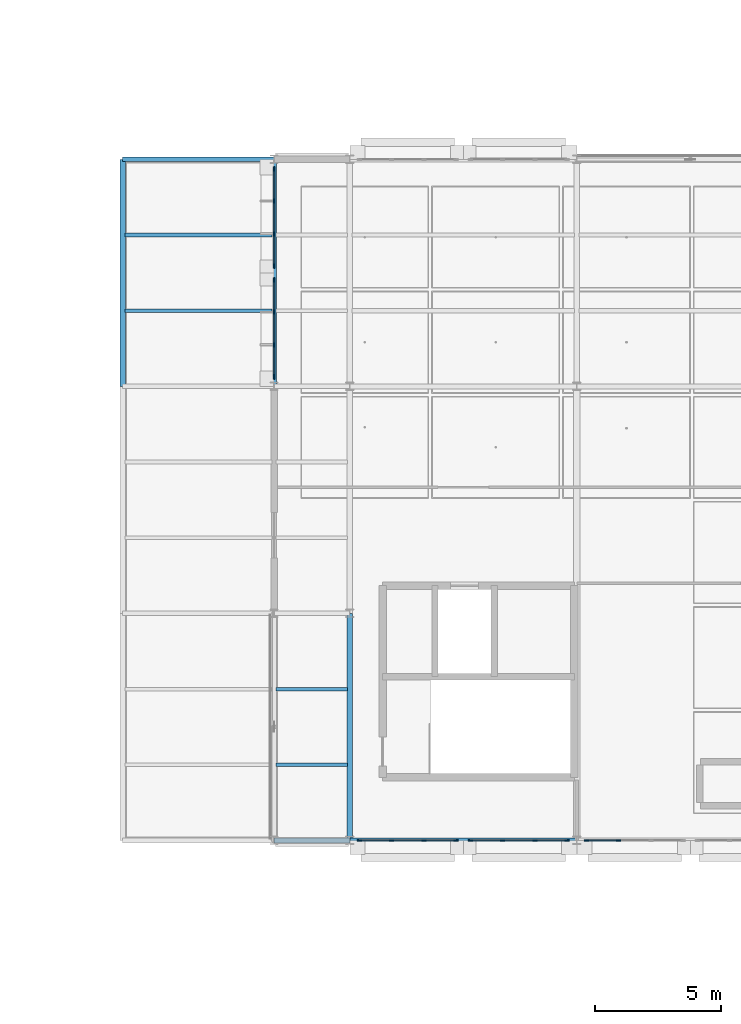
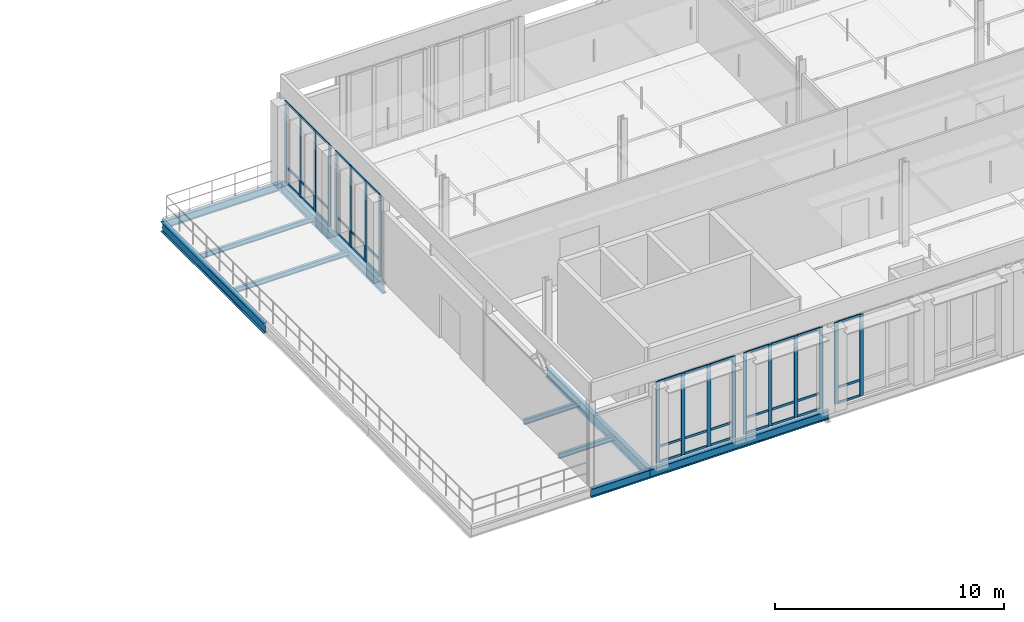
# One storey, part 22 of 89: 57 members, 10 beams, 5 elements without a shape of their own.
"""IFC4 building model written with IfcOpenShell, lengths in metres."""

from ifc_helpers import new_model, si_unit, direction, frame, origin, origin_2d, place, context, subcontext, project, spatial, rectangle, i_section, extrude, material, material_profile, profile_set, type_object, element, aggregate, save


model = new_model("IFC4")

# Units and contexts
model_context = context("Model", 3, precision=1e-05, world=origin(), true_north=direction((0.0, 1.0)))
body_context = subcontext(model_context, "Body", "Model", "MODEL_VIEW")
ifc_project = project(units=[si_unit("LENGTHUNIT", "METRE"), si_unit("AREAUNIT", "SQUARE_METRE"), si_unit("VOLUMEUNIT", "CUBIC_METRE"), si_unit("PLANEANGLEUNIT", "RADIAN"), si_unit("MASSUNIT", "GRAM", prefix="KILO"), si_unit("THERMODYNAMICTEMPERATUREUNIT", "KELVIN"), si_unit("POWERUNIT", "WATT")], contexts=[model_context])

# Site, building, storey
site_placement = place(None, origin())
site = spatial("IfcSite", under=ifc_project, at=site_placement, CompositionType="ELEMENT")
building_placement = place(site_placement, origin())
building = spatial("IfcBuilding", under=site, at=building_placement, Name="Tallowbark Science Centre", CompositionType="ELEMENT")
storey_placement = place(building_placement, frame((0.0, 0.0, 14.39990234375)))
storey = spatial("IfcBuildingStorey", under=building, at=storey_placement, Name="L03", CompositionType="ELEMENT", Elevation=14.39990234375)

# Beams
ifc_material_1 = material(Name="Structural Steel Grade 300PLUS (300 MPa)", Category="steel")
ifc_material_profile_1 = material_profile(ifc_material_1, i_section(OverallWidth=0.177734375, OverallDepth=0.406494140625, WebThickness=0.0078125, FlangeThickness=0.0126953125, FilletRadius=0.011474609375, at=origin_2d()), Name="410UB59.7")
ifc_profile_set_1 = profile_set([ifc_material_profile_1], Name="Structural Steel Grade 300PLUS (300 MPa)")
beam_type_1 = type_object("IfcBeamType", Name="BM-UB410", PredefinedType="BEAM", material=ifc_profile_set_1)
beam_1_placement = place(storey_placement, frame((63.0, 99.0, -0.383056640625), z_axis=(1.0, 0.0, 0.0), x_axis=(0.0, 1.0, 0.0)))
element("IfcBeam", 1, at=beam_1_placement, inside=storey, type_object=beam_type_1, Name="Primary Girder GRDX-L03-630-690-990", PredefinedType="BEAM", context=body_context, shape_type="SweptSolid", body=[
    extrude(i_section(OverallWidth=0.177734375, OverallDepth=0.406494140625, WebThickness=0.0078125, FlangeThickness=0.0126953125, FilletRadius=0.011474609375, at=origin_2d()), origin(), (0.0, 0.0, 1.0), 6.0),
])
ifc_material_profile_2 = material_profile(ifc_material_1, i_section(OverallWidth=0.208740234375, OverallDepth=0.5283203125, WebThickness=0.009521484375, FlangeThickness=0.01318359375, FilletRadius=0.013916015625, at=origin_2d()), Name="530UB82.0")
ifc_profile_set_2 = profile_set([ifc_material_profile_2], Name="Structural Steel Grade 300PLUS (300 MPa)")
beam_type_2 = type_object("IfcBeamType", Name="BM-UB530B", PredefinedType="BEAM", material=ifc_profile_set_2)
for number, where, z_axis, x_axis, name in (
    (2, (63.0, 90.0, -0.444091796875), (0.0, 1.0, 0.0), (-1.0, 0.0, 0.0), "Primary Girder GRDY-L03-630-900-990"),
    (3, (69.0, 90.0, -0.444091796875), (0.0, 1.0, 0.0), (-1.0, 0.0, 0.0), "Primary Girder GRDY-L03-690-900-990"),
    (4, (72.0, 72.0, -0.444091796875), (0.0, 1.0, 0.0), (-1.0, 0.0, 0.0), "Primary Girder GRDY-L03-720-720-810"),
):
    element("IfcBeam", number, at=place(storey_placement, frame(where, z_axis=z_axis, x_axis=x_axis)), inside=storey, type_object=beam_type_2, Name=name, PredefinedType="BEAM", context=body_context, shape_type="SweptSolid", body=[
        extrude(i_section(OverallWidth=0.208740234375, OverallDepth=0.5283203125, WebThickness=0.009521484375, FlangeThickness=0.01318359375, FilletRadius=0.013916015625, at=origin_2d()), origin(), (0.0, 0.0, 1.0), 9.0),
    ])

# Curtain wall, members
ifc_material_2 = material(Name="Unitised Thermally Broken Aluminium and Low-E Double Glazing", Category="aluminium")
curtain_wall_type = type_object("IfcCurtainWallType", Name="CW-SYS-FACADE", PredefinedType="NOTDEFINED", material=ifc_material_2)
curtain_wall_1_placement = place(storey_placement, origin())
curtain_wall_1 = element("IfcCurtainWall", 5, at=curtain_wall_1_placement, inside=storey, type_object=curtain_wall_type, Name="Unitised Curtain Wall LAB-S-72A CW-L03-076", PredefinedType="NOTDEFINED")
ifc_material_3 = material(Name="Anodised Architectural Aluminium Alloy 6063-T6", Category="aluminium")
ifc_material_profile_3 = material_profile(ifc_material_3, rectangle(XDim=0.06494140625, YDim=0.179931640625, at=origin_2d()), Name="ALU65x180")
ifc_profile_set_3 = profile_set([ifc_material_profile_3], Name="Anodised Architectural Aluminium Alloy 6063-T6")
member_type_1 = type_object("IfcMemberType", Name="CWM-MUL-220", PredefinedType="MULLION", material=ifc_profile_set_3)
member_1_placement = place(storey_placement, frame((72.382568359375, 72.0, 0.0), z_axis=(0.0, 0.0, 1.0), x_axis=(0.0, 1.0, 0.0)))
member_1 = element("IfcMember", 6, at=member_1_placement, type_object=member_type_1, Name="CW-01 mullion 1", PredefinedType="MULLION", context=body_context, shape_type="SweptSolid", body=[
    extrude(rectangle(XDim=0.06494140625, YDim=0.179931640625, at=origin_2d()), origin(), (0.0, 0.0, 1.0), 4.340087890625),
])
member_2_placement = place(storey_placement, frame((73.64990234375, 72.0, 0.0), z_axis=(0.0, 0.0, 1.0), x_axis=(0.0, 1.0, 0.0)))
member_2 = element("IfcMember", 7, at=member_2_placement, type_object=member_type_1, Name="CW-01 mullion 2", PredefinedType="MULLION", context=body_context, shape_type="SweptSolid", body=[
    extrude(rectangle(XDim=0.06494140625, YDim=0.179931640625, at=origin_2d()), origin(), (0.0, 0.0, 1.0), 4.340087890625),
])
member_3_placement = place(storey_placement, frame((74.949951171875, 72.0, 0.0), z_axis=(0.0, 0.0, 1.0), x_axis=(0.0, 1.0, 0.0)))
member_3 = element("IfcMember", 8, at=member_3_placement, type_object=member_type_1, Name="CW-01 mullion 3", PredefinedType="MULLION", context=body_context, shape_type="SweptSolid", body=[
    extrude(rectangle(XDim=0.06494140625, YDim=0.179931640625, at=origin_2d()), origin(), (0.0, 0.0, 1.0), 4.340087890625),
])
member_4_placement = place(storey_placement, frame((76.217529296875, 72.0, 0.0), z_axis=(0.0, 0.0, 1.0), x_axis=(0.0, 1.0, 0.0)))
member_4 = element("IfcMember", 9, at=member_4_placement, type_object=member_type_1, Name="CW-01 mullion 4", PredefinedType="MULLION", context=body_context, shape_type="SweptSolid", body=[
    extrude(rectangle(XDim=0.06494140625, YDim=0.179931640625, at=origin_2d()), origin(), (0.0, 0.0, 1.0), 4.340087890625),
])

curtain_wall_2_placement = place(storey_placement, origin())
curtain_wall_2 = element("IfcCurtainWall", 10, at=curtain_wall_2_placement, inside=storey, type_object=curtain_wall_type, Name="Unitised Curtain Wall LAB-S-72B CW-L03-077", PredefinedType="NOTDEFINED")
member_5_placement = place(storey_placement, frame((76.782470703125, 72.0, 0.0), z_axis=(0.0, 0.0, 1.0), x_axis=(0.0, 1.0, 0.0)))
member_5 = element("IfcMember", 11, at=member_5_placement, type_object=member_type_1, Name="CW-01 mullion 1", PredefinedType="MULLION", context=body_context, shape_type="SweptSolid", body=[
    extrude(rectangle(XDim=0.06494140625, YDim=0.179931640625, at=origin_2d()), origin(), (0.0, 0.0, 1.0), 4.340087890625),
])
member_6_placement = place(storey_placement, frame((78.050048828125, 72.0, 0.0), z_axis=(0.0, 0.0, 1.0), x_axis=(0.0, 1.0, 0.0)))
member_6 = element("IfcMember", 12, at=member_6_placement, type_object=member_type_1, Name="CW-01 mullion 2", PredefinedType="MULLION", context=body_context, shape_type="SweptSolid", body=[
    extrude(rectangle(XDim=0.06494140625, YDim=0.179931640625, at=origin_2d()), origin(), (0.0, 0.0, 1.0), 4.340087890625),
])
member_7_placement = place(storey_placement, frame((79.35009765625, 72.0, 0.0), z_axis=(0.0, 0.0, 1.0), x_axis=(0.0, 1.0, 0.0)))
member_7 = element("IfcMember", 13, at=member_7_placement, type_object=member_type_1, Name="CW-01 mullion 3", PredefinedType="MULLION", context=body_context, shape_type="SweptSolid", body=[
    extrude(rectangle(XDim=0.06494140625, YDim=0.179931640625, at=origin_2d()), origin(), (0.0, 0.0, 1.0), 4.340087890625),
])
member_8_placement = place(storey_placement, frame((80.617431640625, 72.0, 0.0), z_axis=(0.0, 0.0, 1.0), x_axis=(0.0, 1.0, 0.0)))
member_8 = element("IfcMember", 14, at=member_8_placement, type_object=member_type_1, Name="CW-01 mullion 4", PredefinedType="MULLION", context=body_context, shape_type="SweptSolid", body=[
    extrude(rectangle(XDim=0.06494140625, YDim=0.179931640625, at=origin_2d()), origin(), (0.0, 0.0, 1.0), 4.340087890625),
])

curtain_wall_3_placement = place(storey_placement, origin())
curtain_wall_3 = element("IfcCurtainWall", 15, at=curtain_wall_3_placement, inside=storey, type_object=curtain_wall_type, Name="Unitised Curtain Wall LAB-S-81A CW-L03-078", PredefinedType="NOTDEFINED")
member_9_placement = place(storey_placement, frame((81.382568359375, 72.0, 0.0), z_axis=(0.0, 0.0, 1.0), x_axis=(0.0, 1.0, 0.0)))
member_9 = element("IfcMember", 16, at=member_9_placement, type_object=member_type_1, Name="CW-01 mullion 1", PredefinedType="MULLION", context=body_context, shape_type="SweptSolid", body=[
    extrude(rectangle(XDim=0.06494140625, YDim=0.179931640625, at=origin_2d()), origin(), (0.0, 0.0, 1.0), 4.340087890625),
])
member_10_placement = place(storey_placement, frame((82.64990234375, 72.0, 0.0), z_axis=(0.0, 0.0, 1.0), x_axis=(0.0, 1.0, 0.0)))
member_10 = element("IfcMember", 17, at=member_10_placement, type_object=member_type_1, Name="CW-01 mullion 2", PredefinedType="MULLION", context=body_context, shape_type="SweptSolid", body=[
    extrude(rectangle(XDim=0.06494140625, YDim=0.179931640625, at=origin_2d()), origin(), (0.0, 0.0, 1.0), 4.340087890625),
])

curtain_wall_4_placement = place(storey_placement, origin())
curtain_wall_4 = element("IfcCurtainWall", 18, at=curtain_wall_4_placement, inside=storey, type_object=curtain_wall_type, Name="Unitised Curtain Wall LAB-W-90A CW-L03-082", PredefinedType="NOTDEFINED")
member_11_placement = place(storey_placement, frame((69.0, 98.617431640625, 0.0), z_axis=(0.0, 0.0, 1.0), x_axis=(1.0, 0.0, 0.0)))
member_11 = element("IfcMember", 19, at=member_11_placement, type_object=member_type_1, Name="CW-01 mullion 1", PredefinedType="MULLION", context=body_context, shape_type="SweptSolid", body=[
    extrude(rectangle(XDim=0.06494140625, YDim=0.179931640625, at=origin_2d()), origin(), (0.0, 0.0, 1.0), 4.340087890625),
])
member_12_placement = place(storey_placement, frame((69.0, 97.35009765625, 0.0), z_axis=(0.0, 0.0, 1.0), x_axis=(1.0, 0.0, 0.0)))
member_12 = element("IfcMember", 20, at=member_12_placement, type_object=member_type_1, Name="CW-01 mullion 2", PredefinedType="MULLION", context=body_context, shape_type="SweptSolid", body=[
    extrude(rectangle(XDim=0.06494140625, YDim=0.179931640625, at=origin_2d()), origin(), (0.0, 0.0, 1.0), 4.340087890625),
])
member_13_placement = place(storey_placement, frame((69.0, 96.050048828125, 0.0), z_axis=(0.0, 0.0, 1.0), x_axis=(1.0, 0.0, 0.0)))
member_13 = element("IfcMember", 21, at=member_13_placement, type_object=member_type_1, Name="CW-01 mullion 3", PredefinedType="MULLION", context=body_context, shape_type="SweptSolid", body=[
    extrude(rectangle(XDim=0.06494140625, YDim=0.179931640625, at=origin_2d()), origin(), (0.0, 0.0, 1.0), 4.340087890625),
])
member_14_placement = place(storey_placement, frame((69.0, 94.782470703125, 0.0), z_axis=(0.0, 0.0, 1.0), x_axis=(1.0, 0.0, 0.0)))
member_14 = element("IfcMember", 22, at=member_14_placement, type_object=member_type_1, Name="CW-01 mullion 4", PredefinedType="MULLION", context=body_context, shape_type="SweptSolid", body=[
    extrude(rectangle(XDim=0.06494140625, YDim=0.179931640625, at=origin_2d()), origin(), (0.0, 0.0, 1.0), 4.340087890625),
])

curtain_wall_5_placement = place(storey_placement, origin())
curtain_wall_5 = element("IfcCurtainWall", 23, at=curtain_wall_5_placement, inside=storey, type_object=curtain_wall_type, Name="Unitised Curtain Wall LAB-W-90B CW-L03-083", PredefinedType="NOTDEFINED")
member_15_placement = place(storey_placement, frame((69.0, 94.217529296875, 0.0), z_axis=(0.0, 0.0, 1.0), x_axis=(1.0, 0.0, 0.0)))
member_15 = element("IfcMember", 24, at=member_15_placement, type_object=member_type_1, Name="CW-01 mullion 1", PredefinedType="MULLION", context=body_context, shape_type="SweptSolid", body=[
    extrude(rectangle(XDim=0.06494140625, YDim=0.179931640625, at=origin_2d()), origin(), (0.0, 0.0, 1.0), 4.340087890625),
])
member_16_placement = place(storey_placement, frame((69.0, 92.949951171875, 0.0), z_axis=(0.0, 0.0, 1.0), x_axis=(1.0, 0.0, 0.0)))
member_16 = element("IfcMember", 25, at=member_16_placement, type_object=member_type_1, Name="CW-01 mullion 2", PredefinedType="MULLION", context=body_context, shape_type="SweptSolid", body=[
    extrude(rectangle(XDim=0.06494140625, YDim=0.179931640625, at=origin_2d()), origin(), (0.0, 0.0, 1.0), 4.340087890625),
])
member_17_placement = place(storey_placement, frame((69.0, 91.64990234375, 0.0), z_axis=(0.0, 0.0, 1.0), x_axis=(1.0, 0.0, 0.0)))
member_17 = element("IfcMember", 26, at=member_17_placement, type_object=member_type_1, Name="CW-01 mullion 3", PredefinedType="MULLION", context=body_context, shape_type="SweptSolid", body=[
    extrude(rectangle(XDim=0.06494140625, YDim=0.179931640625, at=origin_2d()), origin(), (0.0, 0.0, 1.0), 4.340087890625),
])
member_18_placement = place(storey_placement, frame((69.0, 90.382568359375, 0.0), z_axis=(0.0, 0.0, 1.0), x_axis=(1.0, 0.0, 0.0)))
member_18 = element("IfcMember", 27, at=member_18_placement, type_object=member_type_1, Name="CW-01 mullion 4", PredefinedType="MULLION", context=body_context, shape_type="SweptSolid", body=[
    extrude(rectangle(XDim=0.06494140625, YDim=0.179931640625, at=origin_2d()), origin(), (0.0, 0.0, 1.0), 4.340087890625),
])

# Member
ifc_material_profile_4 = material_profile(ifc_material_3, rectangle(XDim=0.054931640625, YDim=0.1201171875, at=origin_2d()), Name="ALU55x120")
ifc_profile_set_4 = profile_set([ifc_material_profile_4], Name="Anodised Architectural Aluminium Alloy 6063-T6")
member_type_2 = type_object("IfcMemberType", Name="CWM-TRN-150", PredefinedType="USERDEFINED", material=ifc_profile_set_4)
member_19_placement = place(storey_placement, frame((72.4150390625, 72.0, 0.027587890625), z_axis=(1.0, 0.0, 0.0), x_axis=(0.0, 1.0, 0.0)))
member_19 = element("IfcMember", 28, at=member_19_placement, type_object=member_type_2, Name="CW-01 transom 1.1", ObjectType="TRANSOM", PredefinedType="USERDEFINED", context=body_context, shape_type="SweptSolid", body=[
    extrude(rectangle(XDim=0.054931640625, YDim=0.1201171875, at=origin_2d()), origin(), (0.0, 0.0, 1.0), 1.202392578125),
])

member_20_placement = place(storey_placement, frame((72.4150390625, 72.0, 0.85009765625), z_axis=(1.0, 0.0, 0.0), x_axis=(0.0, 1.0, 0.0)))
member_20 = element("IfcMember", 29, at=member_20_placement, type_object=member_type_2, Name="CW-01 transom 1.2", ObjectType="TRANSOM", PredefinedType="USERDEFINED", context=body_context, shape_type="SweptSolid", body=[
    extrude(rectangle(XDim=0.054931640625, YDim=0.1201171875, at=origin_2d()), origin(), (0.0, 0.0, 1.0), 1.202392578125),
])

member_21_placement = place(storey_placement, frame((72.4150390625, 72.0, 4.3125), z_axis=(1.0, 0.0, 0.0), x_axis=(0.0, 1.0, 0.0)))
member_21 = element("IfcMember", 30, at=member_21_placement, type_object=member_type_2, Name="CW-01 transom 1.3", ObjectType="TRANSOM", PredefinedType="USERDEFINED", context=body_context, shape_type="SweptSolid", body=[
    extrude(rectangle(XDim=0.054931640625, YDim=0.1201171875, at=origin_2d()), origin(), (0.0, 0.0, 1.0), 1.202392578125),
])

member_22_placement = place(storey_placement, frame((73.6826171875, 72.0, 0.027587890625), z_axis=(1.0, 0.0, 0.0), x_axis=(0.0, 1.0, 0.0)))
member_22 = element("IfcMember", 31, at=member_22_placement, type_object=member_type_2, Name="CW-01 transom 2.1", ObjectType="TRANSOM", PredefinedType="USERDEFINED", context=body_context, shape_type="SweptSolid", body=[
    extrude(rectangle(XDim=0.054931640625, YDim=0.1201171875, at=origin_2d()), origin(), (0.0, 0.0, 1.0), 1.23486328125),
])

member_23_placement = place(storey_placement, frame((73.6826171875, 72.0, 0.85009765625), z_axis=(1.0, 0.0, 0.0), x_axis=(0.0, 1.0, 0.0)))
member_23 = element("IfcMember", 32, at=member_23_placement, type_object=member_type_2, Name="CW-01 transom 2.2", ObjectType="TRANSOM", PredefinedType="USERDEFINED", context=body_context, shape_type="SweptSolid", body=[
    extrude(rectangle(XDim=0.054931640625, YDim=0.1201171875, at=origin_2d()), origin(), (0.0, 0.0, 1.0), 1.23486328125),
])

member_24_placement = place(storey_placement, frame((73.6826171875, 72.0, 4.3125), z_axis=(1.0, 0.0, 0.0), x_axis=(0.0, 1.0, 0.0)))
member_24 = element("IfcMember", 33, at=member_24_placement, type_object=member_type_2, Name="CW-01 transom 2.3", ObjectType="TRANSOM", PredefinedType="USERDEFINED", context=body_context, shape_type="SweptSolid", body=[
    extrude(rectangle(XDim=0.054931640625, YDim=0.1201171875, at=origin_2d()), origin(), (0.0, 0.0, 1.0), 1.23486328125),
])

member_25_placement = place(storey_placement, frame((74.982421875, 72.0, 0.027587890625), z_axis=(1.0, 0.0, 0.0), x_axis=(0.0, 1.0, 0.0)))
member_25 = element("IfcMember", 34, at=member_25_placement, type_object=member_type_2, Name="CW-01 transom 3.1", ObjectType="TRANSOM", PredefinedType="USERDEFINED", context=body_context, shape_type="SweptSolid", body=[
    extrude(rectangle(XDim=0.054931640625, YDim=0.1201171875, at=origin_2d()), origin(), (0.0, 0.0, 1.0), 1.20263671875),
])

member_26_placement = place(storey_placement, frame((74.982421875, 72.0, 0.85009765625), z_axis=(1.0, 0.0, 0.0), x_axis=(0.0, 1.0, 0.0)))
member_26 = element("IfcMember", 35, at=member_26_placement, type_object=member_type_2, Name="CW-01 transom 3.2", ObjectType="TRANSOM", PredefinedType="USERDEFINED", context=body_context, shape_type="SweptSolid", body=[
    extrude(rectangle(XDim=0.054931640625, YDim=0.1201171875, at=origin_2d()), origin(), (0.0, 0.0, 1.0), 1.20263671875),
])

member_27_placement = place(storey_placement, frame((74.982421875, 72.0, 4.3125), z_axis=(1.0, 0.0, 0.0), x_axis=(0.0, 1.0, 0.0)))
member_27 = element("IfcMember", 36, at=member_27_placement, type_object=member_type_2, Name="CW-01 transom 3.3", ObjectType="TRANSOM", PredefinedType="USERDEFINED", context=body_context, shape_type="SweptSolid", body=[
    extrude(rectangle(XDim=0.054931640625, YDim=0.1201171875, at=origin_2d()), origin(), (0.0, 0.0, 1.0), 1.20263671875),
])

aggregate(curtain_wall_1, [member_1, member_2, member_3, member_4, member_19, member_20, member_21, member_22, member_23, member_24, member_25, member_26, member_27])

member_28_placement = place(storey_placement, frame((76.81494140625, 72.0, 0.027587890625), z_axis=(1.0, 0.0, 0.0), x_axis=(0.0, 1.0, 0.0)))
member_28 = element("IfcMember", 37, at=member_28_placement, type_object=member_type_2, Name="CW-01 transom 1.1", ObjectType="TRANSOM", PredefinedType="USERDEFINED", context=body_context, shape_type="SweptSolid", body=[
    extrude(rectangle(XDim=0.054931640625, YDim=0.1201171875, at=origin_2d()), origin(), (0.0, 0.0, 1.0), 1.20263671875),
])

member_29_placement = place(storey_placement, frame((76.81494140625, 72.0, 0.85009765625), z_axis=(1.0, 0.0, 0.0), x_axis=(0.0, 1.0, 0.0)))
member_29 = element("IfcMember", 38, at=member_29_placement, type_object=member_type_2, Name="CW-01 transom 1.2", ObjectType="TRANSOM", PredefinedType="USERDEFINED", context=body_context, shape_type="SweptSolid", body=[
    extrude(rectangle(XDim=0.054931640625, YDim=0.1201171875, at=origin_2d()), origin(), (0.0, 0.0, 1.0), 1.20263671875),
])

member_30_placement = place(storey_placement, frame((76.81494140625, 72.0, 4.3125), z_axis=(1.0, 0.0, 0.0), x_axis=(0.0, 1.0, 0.0)))
member_30 = element("IfcMember", 39, at=member_30_placement, type_object=member_type_2, Name="CW-01 transom 1.3", ObjectType="TRANSOM", PredefinedType="USERDEFINED", context=body_context, shape_type="SweptSolid", body=[
    extrude(rectangle(XDim=0.054931640625, YDim=0.1201171875, at=origin_2d()), origin(), (0.0, 0.0, 1.0), 1.20263671875),
])

member_31_placement = place(storey_placement, frame((78.08251953125, 72.0, 0.027587890625), z_axis=(1.0, 0.0, 0.0), x_axis=(0.0, 1.0, 0.0)))
member_31 = element("IfcMember", 40, at=member_31_placement, type_object=member_type_2, Name="CW-01 transom 2.1", ObjectType="TRANSOM", PredefinedType="USERDEFINED", context=body_context, shape_type="SweptSolid", body=[
    extrude(rectangle(XDim=0.054931640625, YDim=0.1201171875, at=origin_2d()), origin(), (0.0, 0.0, 1.0), 1.23486328125),
])

member_32_placement = place(storey_placement, frame((78.08251953125, 72.0, 0.85009765625), z_axis=(1.0, 0.0, 0.0), x_axis=(0.0, 1.0, 0.0)))
member_32 = element("IfcMember", 41, at=member_32_placement, type_object=member_type_2, Name="CW-01 transom 2.2", ObjectType="TRANSOM", PredefinedType="USERDEFINED", context=body_context, shape_type="SweptSolid", body=[
    extrude(rectangle(XDim=0.054931640625, YDim=0.1201171875, at=origin_2d()), origin(), (0.0, 0.0, 1.0), 1.23486328125),
])

member_33_placement = place(storey_placement, frame((78.08251953125, 72.0, 4.3125), z_axis=(1.0, 0.0, 0.0), x_axis=(0.0, 1.0, 0.0)))
member_33 = element("IfcMember", 42, at=member_33_placement, type_object=member_type_2, Name="CW-01 transom 2.3", ObjectType="TRANSOM", PredefinedType="USERDEFINED", context=body_context, shape_type="SweptSolid", body=[
    extrude(rectangle(XDim=0.054931640625, YDim=0.1201171875, at=origin_2d()), origin(), (0.0, 0.0, 1.0), 1.23486328125),
])

member_34_placement = place(storey_placement, frame((79.382568359375, 72.0, 0.027587890625), z_axis=(1.0, 0.0, 0.0), x_axis=(0.0, 1.0, 0.0)))
member_34 = element("IfcMember", 43, at=member_34_placement, type_object=member_type_2, Name="CW-01 transom 3.1", ObjectType="TRANSOM", PredefinedType="USERDEFINED", context=body_context, shape_type="SweptSolid", body=[
    extrude(rectangle(XDim=0.054931640625, YDim=0.1201171875, at=origin_2d()), origin(), (0.0, 0.0, 1.0), 1.202392578125),
])

member_35_placement = place(storey_placement, frame((79.382568359375, 72.0, 0.85009765625), z_axis=(1.0, 0.0, 0.0), x_axis=(0.0, 1.0, 0.0)))
member_35 = element("IfcMember", 44, at=member_35_placement, type_object=member_type_2, Name="CW-01 transom 3.2", ObjectType="TRANSOM", PredefinedType="USERDEFINED", context=body_context, shape_type="SweptSolid", body=[
    extrude(rectangle(XDim=0.054931640625, YDim=0.1201171875, at=origin_2d()), origin(), (0.0, 0.0, 1.0), 1.202392578125),
])

member_36_placement = place(storey_placement, frame((79.382568359375, 72.0, 4.3125), z_axis=(1.0, 0.0, 0.0), x_axis=(0.0, 1.0, 0.0)))
member_36 = element("IfcMember", 45, at=member_36_placement, type_object=member_type_2, Name="CW-01 transom 3.3", ObjectType="TRANSOM", PredefinedType="USERDEFINED", context=body_context, shape_type="SweptSolid", body=[
    extrude(rectangle(XDim=0.054931640625, YDim=0.1201171875, at=origin_2d()), origin(), (0.0, 0.0, 1.0), 1.202392578125),
])

aggregate(curtain_wall_2, [member_5, member_6, member_7, member_8, member_28, member_29, member_30, member_31, member_32, member_33, member_34, member_35, member_36])

member_37_placement = place(storey_placement, frame((81.4150390625, 72.0, 0.027587890625), z_axis=(1.0, 0.0, 0.0), x_axis=(0.0, 1.0, 0.0)))
member_37 = element("IfcMember", 46, at=member_37_placement, type_object=member_type_2, Name="CW-01 transom 1.1", ObjectType="TRANSOM", PredefinedType="USERDEFINED", context=body_context, shape_type="SweptSolid", body=[
    extrude(rectangle(XDim=0.054931640625, YDim=0.1201171875, at=origin_2d()), origin(), (0.0, 0.0, 1.0), 1.202392578125),
])

member_38_placement = place(storey_placement, frame((81.4150390625, 72.0, 0.85009765625), z_axis=(1.0, 0.0, 0.0), x_axis=(0.0, 1.0, 0.0)))
member_38 = element("IfcMember", 47, at=member_38_placement, type_object=member_type_2, Name="CW-01 transom 1.2", ObjectType="TRANSOM", PredefinedType="USERDEFINED", context=body_context, shape_type="SweptSolid", body=[
    extrude(rectangle(XDim=0.054931640625, YDim=0.1201171875, at=origin_2d()), origin(), (0.0, 0.0, 1.0), 1.202392578125),
])

member_39_placement = place(storey_placement, frame((81.4150390625, 72.0, 4.3125), z_axis=(1.0, 0.0, 0.0), x_axis=(0.0, 1.0, 0.0)))
member_39 = element("IfcMember", 48, at=member_39_placement, type_object=member_type_2, Name="CW-01 transom 1.3", ObjectType="TRANSOM", PredefinedType="USERDEFINED", context=body_context, shape_type="SweptSolid", body=[
    extrude(rectangle(XDim=0.054931640625, YDim=0.1201171875, at=origin_2d()), origin(), (0.0, 0.0, 1.0), 1.202392578125),
])

aggregate(curtain_wall_3, [member_9, member_10, member_37, member_38, member_39])

member_40_placement = place(storey_placement, frame((69.0, 98.5849609375, 0.027587890625), z_axis=(0.0, -1.0, 0.0), x_axis=(1.0, 0.0, 0.0)))
member_40 = element("IfcMember", 49, at=member_40_placement, type_object=member_type_2, Name="CW-01 transom 1.1", ObjectType="TRANSOM", PredefinedType="USERDEFINED", context=body_context, shape_type="SweptSolid", body=[
    extrude(rectangle(XDim=0.054931640625, YDim=0.1201171875, at=origin_2d()), origin(), (0.0, 0.0, 1.0), 1.202392578125),
])

member_41_placement = place(storey_placement, frame((69.0, 98.5849609375, 0.85009765625), z_axis=(0.0, -1.0, 0.0), x_axis=(1.0, 0.0, 0.0)))
member_41 = element("IfcMember", 50, at=member_41_placement, type_object=member_type_2, Name="CW-01 transom 1.2", ObjectType="TRANSOM", PredefinedType="USERDEFINED", context=body_context, shape_type="SweptSolid", body=[
    extrude(rectangle(XDim=0.054931640625, YDim=0.1201171875, at=origin_2d()), origin(), (0.0, 0.0, 1.0), 1.202392578125),
])

member_42_placement = place(storey_placement, frame((69.0, 98.5849609375, 4.3125), z_axis=(0.0, -1.0, 0.0), x_axis=(1.0, 0.0, 0.0)))
member_42 = element("IfcMember", 51, at=member_42_placement, type_object=member_type_2, Name="CW-01 transom 1.3", ObjectType="TRANSOM", PredefinedType="USERDEFINED", context=body_context, shape_type="SweptSolid", body=[
    extrude(rectangle(XDim=0.054931640625, YDim=0.1201171875, at=origin_2d()), origin(), (0.0, 0.0, 1.0), 1.202392578125),
])

member_43_placement = place(storey_placement, frame((69.0, 97.3173828125, 0.027587890625), z_axis=(0.0, -1.0, 0.0), x_axis=(1.0, 0.0, 0.0)))
member_43 = element("IfcMember", 52, at=member_43_placement, type_object=member_type_2, Name="CW-01 transom 2.1", ObjectType="TRANSOM", PredefinedType="USERDEFINED", context=body_context, shape_type="SweptSolid", body=[
    extrude(rectangle(XDim=0.054931640625, YDim=0.1201171875, at=origin_2d()), origin(), (0.0, 0.0, 1.0), 1.23486328125),
])

member_44_placement = place(storey_placement, frame((69.0, 97.3173828125, 0.85009765625), z_axis=(0.0, -1.0, 0.0), x_axis=(1.0, 0.0, 0.0)))
member_44 = element("IfcMember", 53, at=member_44_placement, type_object=member_type_2, Name="CW-01 transom 2.2", ObjectType="TRANSOM", PredefinedType="USERDEFINED", context=body_context, shape_type="SweptSolid", body=[
    extrude(rectangle(XDim=0.054931640625, YDim=0.1201171875, at=origin_2d()), origin(), (0.0, 0.0, 1.0), 1.23486328125),
])

member_45_placement = place(storey_placement, frame((69.0, 97.3173828125, 4.3125), z_axis=(0.0, -1.0, 0.0), x_axis=(1.0, 0.0, 0.0)))
member_45 = element("IfcMember", 54, at=member_45_placement, type_object=member_type_2, Name="CW-01 transom 2.3", ObjectType="TRANSOM", PredefinedType="USERDEFINED", context=body_context, shape_type="SweptSolid", body=[
    extrude(rectangle(XDim=0.054931640625, YDim=0.1201171875, at=origin_2d()), origin(), (0.0, 0.0, 1.0), 1.23486328125),
])

member_46_placement = place(storey_placement, frame((69.0, 96.017578125, 0.027587890625), z_axis=(0.0, -1.0, 0.0), x_axis=(1.0, 0.0, 0.0)))
member_46 = element("IfcMember", 55, at=member_46_placement, type_object=member_type_2, Name="CW-01 transom 3.1", ObjectType="TRANSOM", PredefinedType="USERDEFINED", context=body_context, shape_type="SweptSolid", body=[
    extrude(rectangle(XDim=0.054931640625, YDim=0.1201171875, at=origin_2d()), origin(), (0.0, 0.0, 1.0), 1.20263671875),
])

member_47_placement = place(storey_placement, frame((69.0, 96.017578125, 0.85009765625), z_axis=(0.0, -1.0, 0.0), x_axis=(1.0, 0.0, 0.0)))
member_47 = element("IfcMember", 56, at=member_47_placement, type_object=member_type_2, Name="CW-01 transom 3.2", ObjectType="TRANSOM", PredefinedType="USERDEFINED", context=body_context, shape_type="SweptSolid", body=[
    extrude(rectangle(XDim=0.054931640625, YDim=0.1201171875, at=origin_2d()), origin(), (0.0, 0.0, 1.0), 1.20263671875),
])

member_48_placement = place(storey_placement, frame((69.0, 96.017578125, 4.3125), z_axis=(0.0, -1.0, 0.0), x_axis=(1.0, 0.0, 0.0)))
member_48 = element("IfcMember", 57, at=member_48_placement, type_object=member_type_2, Name="CW-01 transom 3.3", ObjectType="TRANSOM", PredefinedType="USERDEFINED", context=body_context, shape_type="SweptSolid", body=[
    extrude(rectangle(XDim=0.054931640625, YDim=0.1201171875, at=origin_2d()), origin(), (0.0, 0.0, 1.0), 1.20263671875),
])

aggregate(curtain_wall_4, [member_11, member_12, member_13, member_14, member_40, member_41, member_42, member_43, member_44, member_45, member_46, member_47, member_48])

member_49_placement = place(storey_placement, frame((69.0, 94.18505859375, 0.027587890625), z_axis=(0.0, -1.0, 0.0), x_axis=(1.0, 0.0, 0.0)))
member_49 = element("IfcMember", 58, at=member_49_placement, type_object=member_type_2, Name="CW-01 transom 1.1", ObjectType="TRANSOM", PredefinedType="USERDEFINED", context=body_context, shape_type="SweptSolid", body=[
    extrude(rectangle(XDim=0.054931640625, YDim=0.1201171875, at=origin_2d()), origin(), (0.0, 0.0, 1.0), 1.20263671875),
])

member_50_placement = place(storey_placement, frame((69.0, 94.18505859375, 0.85009765625), z_axis=(0.0, -1.0, 0.0), x_axis=(1.0, 0.0, 0.0)))
member_50 = element("IfcMember", 59, at=member_50_placement, type_object=member_type_2, Name="CW-01 transom 1.2", ObjectType="TRANSOM", PredefinedType="USERDEFINED", context=body_context, shape_type="SweptSolid", body=[
    extrude(rectangle(XDim=0.054931640625, YDim=0.1201171875, at=origin_2d()), origin(), (0.0, 0.0, 1.0), 1.20263671875),
])

member_51_placement = place(storey_placement, frame((69.0, 94.18505859375, 4.3125), z_axis=(0.0, -1.0, 0.0), x_axis=(1.0, 0.0, 0.0)))
member_51 = element("IfcMember", 60, at=member_51_placement, type_object=member_type_2, Name="CW-01 transom 1.3", ObjectType="TRANSOM", PredefinedType="USERDEFINED", context=body_context, shape_type="SweptSolid", body=[
    extrude(rectangle(XDim=0.054931640625, YDim=0.1201171875, at=origin_2d()), origin(), (0.0, 0.0, 1.0), 1.20263671875),
])

member_52_placement = place(storey_placement, frame((69.0, 92.91748046875, 0.027587890625), z_axis=(0.0, -1.0, 0.0), x_axis=(1.0, 0.0, 0.0)))
member_52 = element("IfcMember", 61, at=member_52_placement, type_object=member_type_2, Name="CW-01 transom 2.1", ObjectType="TRANSOM", PredefinedType="USERDEFINED", context=body_context, shape_type="SweptSolid", body=[
    extrude(rectangle(XDim=0.054931640625, YDim=0.1201171875, at=origin_2d()), origin(), (0.0, 0.0, 1.0), 1.23486328125),
])

member_53_placement = place(storey_placement, frame((69.0, 92.91748046875, 0.85009765625), z_axis=(0.0, -1.0, 0.0), x_axis=(1.0, 0.0, 0.0)))
member_53 = element("IfcMember", 62, at=member_53_placement, type_object=member_type_2, Name="CW-01 transom 2.2", ObjectType="TRANSOM", PredefinedType="USERDEFINED", context=body_context, shape_type="SweptSolid", body=[
    extrude(rectangle(XDim=0.054931640625, YDim=0.1201171875, at=origin_2d()), origin(), (0.0, 0.0, 1.0), 1.23486328125),
])

member_54_placement = place(storey_placement, frame((69.0, 92.91748046875, 4.3125), z_axis=(0.0, -1.0, 0.0), x_axis=(1.0, 0.0, 0.0)))
member_54 = element("IfcMember", 63, at=member_54_placement, type_object=member_type_2, Name="CW-01 transom 2.3", ObjectType="TRANSOM", PredefinedType="USERDEFINED", context=body_context, shape_type="SweptSolid", body=[
    extrude(rectangle(XDim=0.054931640625, YDim=0.1201171875, at=origin_2d()), origin(), (0.0, 0.0, 1.0), 1.23486328125),
])

member_55_placement = place(storey_placement, frame((69.0, 91.617431640625, 0.027587890625), z_axis=(0.0, -1.0, 0.0), x_axis=(1.0, 0.0, 0.0)))
member_55 = element("IfcMember", 64, at=member_55_placement, type_object=member_type_2, Name="CW-01 transom 3.1", ObjectType="TRANSOM", PredefinedType="USERDEFINED", context=body_context, shape_type="SweptSolid", body=[
    extrude(rectangle(XDim=0.054931640625, YDim=0.1201171875, at=origin_2d()), origin(), (0.0, 0.0, 1.0), 1.202392578125),
])

member_56_placement = place(storey_placement, frame((69.0, 91.617431640625, 0.85009765625), z_axis=(0.0, -1.0, 0.0), x_axis=(1.0, 0.0, 0.0)))
member_56 = element("IfcMember", 65, at=member_56_placement, type_object=member_type_2, Name="CW-01 transom 3.2", ObjectType="TRANSOM", PredefinedType="USERDEFINED", context=body_context, shape_type="SweptSolid", body=[
    extrude(rectangle(XDim=0.054931640625, YDim=0.1201171875, at=origin_2d()), origin(), (0.0, 0.0, 1.0), 1.202392578125),
])

member_57_placement = place(storey_placement, frame((69.0, 91.617431640625, 4.3125), z_axis=(0.0, -1.0, 0.0), x_axis=(1.0, 0.0, 0.0)))
member_57 = element("IfcMember", 66, at=member_57_placement, type_object=member_type_2, Name="CW-01 transom 3.3", ObjectType="TRANSOM", PredefinedType="USERDEFINED", context=body_context, shape_type="SweptSolid", body=[
    extrude(rectangle(XDim=0.054931640625, YDim=0.1201171875, at=origin_2d()), origin(), (0.0, 0.0, 1.0), 1.202392578125),
])

aggregate(curtain_wall_5, [member_15, member_16, member_17, member_18, member_49, member_50, member_51, member_52, member_53, member_54, member_55, member_56, member_57])

# Beams
ifc_material_profile_5 = material_profile(ifc_material_1, i_section(OverallWidth=0.146484375, OverallDepth=0.256103515625, WebThickness=0.00634765625, FlangeThickness=0.010986328125, FilletRadius=0.0087890625, at=origin_2d()), Name="250UB37.3")
ifc_profile_set_5 = profile_set([ifc_material_profile_5], Name="Structural Steel Grade 300PLUS (300 MPa)")
beam_type_3 = type_object("IfcBeamType", Name="JST-UB250", PredefinedType="JOIST", material=ifc_profile_set_5)
for number, where, z_axis, x_axis, name in (
    (67, (69.0849609375, 75.0, -0.30810546875), (1.0, 0.0, 0.0), (0.0, 1.0, 0.0), "Composite Floor Joist JSTX-L03-690-750"),
    (68, (69.0849609375, 78.0, -0.30810546875), (1.0, 0.0, 0.0), (0.0, 1.0, 0.0), "Composite Floor Joist JSTX-L03-690-780"),
):
    element("IfcBeam", number, at=place(storey_placement, frame(where, z_axis=z_axis, x_axis=x_axis)), inside=storey, type_object=beam_type_3, Name=name, PredefinedType="JOIST", context=body_context, shape_type="SweptSolid", body=[
        extrude(i_section(OverallWidth=0.146484375, OverallDepth=0.256103515625, WebThickness=0.00634765625, FlangeThickness=0.010986328125, FilletRadius=0.0087890625, at=origin_2d()), origin(), (0.0, 0.0, 1.0), 2.830078125),
    ])
for number, where, z_axis, x_axis, name in (
    (69, (63.0849609375, 93.0, -0.30810546875), (1.0, 0.0, 0.0), (0.0, 1.0, 0.0), "Composite Floor Joist JSTX-L03-630-930"),
    (70, (63.0849609375, 96.0, -0.30810546875), (1.0, 0.0, 0.0), (0.0, 1.0, 0.0), "Composite Floor Joist JSTX-L03-630-960"),
):
    element("IfcBeam", number, at=place(storey_placement, frame(where, z_axis=z_axis, x_axis=x_axis)), inside=storey, type_object=beam_type_3, Name=name, PredefinedType="JOIST", context=body_context, shape_type="SweptSolid", body=[
        extrude(i_section(OverallWidth=0.146484375, OverallDepth=0.256103515625, WebThickness=0.00634765625, FlangeThickness=0.010986328125, FilletRadius=0.0087890625, at=origin_2d()), origin(), (0.0, 0.0, 1.0), 5.830078125),
    ])
ifc_material_profile_6 = material_profile(ifc_material_1, i_section(OverallWidth=0.18994140625, OverallDepth=0.453857421875, WebThickness=0.008544921875, FlangeThickness=0.0126953125, FilletRadius=0.011474609375, at=origin_2d()), Name="460UB67.1")
ifc_profile_set_6 = profile_set([ifc_material_profile_6], Name="Structural Steel Grade 300PLUS (300 MPa)")
beam_type_4 = type_object("IfcBeamType", Name="SPN-UB460", PredefinedType="SPANDREL", material=ifc_profile_set_6)
beam_2_placement = place(storey_placement, frame((69.0, 72.0, -0.40673828125), z_axis=(1.0, 0.0, 0.0), x_axis=(0.0, 1.0, 0.0)))
element("IfcBeam", 71, at=beam_2_placement, inside=storey, type_object=beam_type_4, Name="Primary Girder GRDX-L03-690-720-720", PredefinedType="SPANDREL", context=body_context, shape_type="SweptSolid", body=[
    extrude(i_section(OverallWidth=0.18994140625, OverallDepth=0.453857421875, WebThickness=0.008544921875, FlangeThickness=0.0126953125, FilletRadius=0.011474609375, at=origin_2d()), origin(), (0.0, 0.0, 1.0), 3.0),
])
beam_3_placement = place(storey_placement, frame((72.0, 72.0, -0.40673828125), z_axis=(1.0, 0.0, 0.0), x_axis=(0.0, 1.0, 0.0)))
element("IfcBeam", 72, at=beam_3_placement, inside=storey, type_object=beam_type_4, Name="Primary Girder GRDX-L03-720-810-720", PredefinedType="SPANDREL", context=body_context, shape_type="SweptSolid", body=[
    extrude(i_section(OverallWidth=0.18994140625, OverallDepth=0.453857421875, WebThickness=0.008544921875, FlangeThickness=0.0126953125, FilletRadius=0.011474609375, at=origin_2d()), origin(), (0.0, 0.0, 1.0), 9.0),
])

save(model, "model.ifc")
